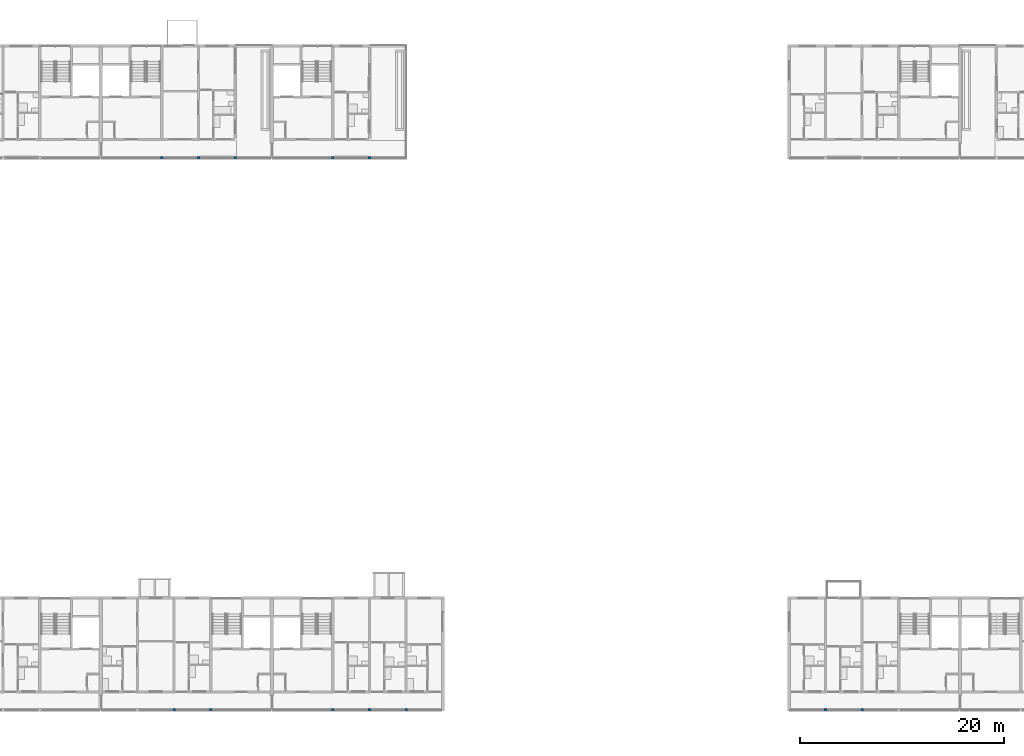
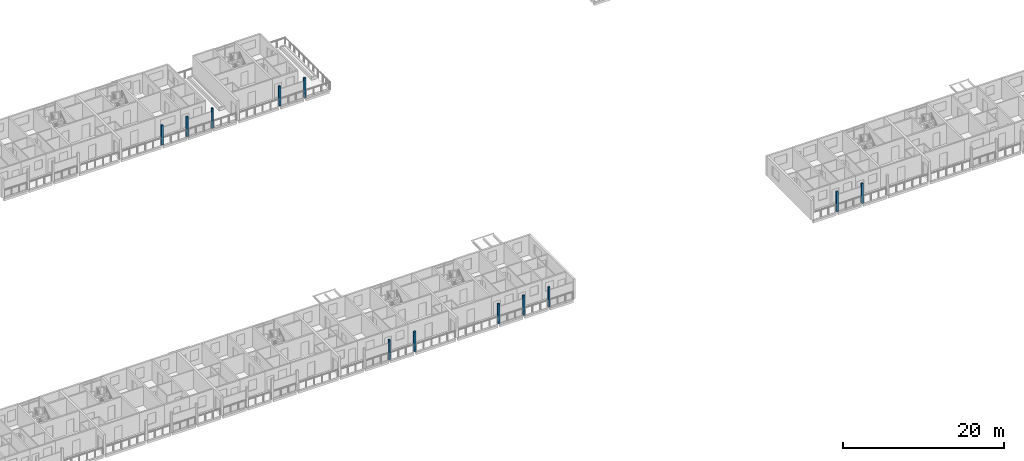
# One storey, part 2 of 94: 12 columns.
"""IFC4 building model written with IfcOpenShell, lengths in metres."""

from ifc_helpers import new_model, si_unit, direction, frame, origin, origin_2d, place, context, subcontext, project, spatial, rectangle, extrude, material, material_profile, profile_set, type_object, element, save


model = new_model("IFC4")

# Units and contexts
model_context = context("Model", 3, precision=1e-05, world=origin(), true_north=direction((0.0, 1.0)))
body_context = subcontext(model_context, "Body", "Model", "MODEL_VIEW")
ifc_project = project(units=[si_unit("LENGTHUNIT", "METRE"), si_unit("AREAUNIT", "SQUARE_METRE"), si_unit("VOLUMEUNIT", "CUBIC_METRE"), si_unit("PLANEANGLEUNIT", "RADIAN"), si_unit("MASSUNIT", "GRAM", prefix="KILO")], contexts=[model_context])

# Site, building, storey
site_placement = place(None, origin())
site = spatial("IfcSite", under=ifc_project, at=site_placement, CompositionType="ELEMENT")
building_placement = place(site_placement, origin())
building = spatial("IfcBuilding", under=site, at=building_placement, Name="Ridgestep Commons", CompositionType="ELEMENT")
storey_placement = place(building_placement, frame((0.0, 0.0, 21.0)))
storey = spatial("IfcBuildingStorey", under=building, at=storey_placement, Name="L07", CompositionType="ELEMENT", Elevation=21.0)

# Columns
ifc_material = material(Name="Precast concrete C40/50", Category="concrete")
ifc_material_profile = material_profile(ifc_material, rectangle(XDim=0.25, YDim=0.25, at=origin_2d()), Name="PC 250x250")
ifc_profile_set = profile_set([ifc_material_profile], Name="Precast concrete C40/50")
column_type = type_object("IfcColumnType", Name="Loggia column 250 x 250", PredefinedType="COLUMN", material=ifc_profile_set)
for number, where, z_axis, x_axis, name in (
    (1, (86.39990234375, 11.875, 0.0), (0.0, 0.0, 1.0), (1.0, 0.0, 0.0), "Loggia column A L07"),
    (2, (90.0, 11.875, 0.0), (0.0, 0.0, 1.0), (1.0, 0.0, 0.0), "Loggia column A L07"),
    (3, (102.0, 11.875, 0.0), (0.0, 0.0, 1.0), (1.0, 0.0, 0.0), "Loggia column A L07"),
    (4, (105.60009765625, 11.875, 0.0), (0.0, 0.0, 1.0), (1.0, 0.0, 0.0), "Loggia column A L07"),
    (5, (109.199951171875, 11.875, 0.0), (0.0, 0.0, 1.0), (1.0, 0.0, 0.0), "Loggia column A L07"),
    (6, (85.199951171875, 66.125, 0.0), (0.0, 0.0, 1.0), (1.0, 0.0, 0.0), "Loggia column B L07"),
    (7, (88.800048828125, 66.125, 0.0), (0.0, 0.0, 1.0), (1.0, 0.0, 0.0), "Loggia column B L07"),
    (8, (92.39990234375, 66.125, 0.0), (0.0, 0.0, 1.0), (1.0, 0.0, 0.0), "Loggia column B L07"),
    (9, (102.0, 66.125, 0.0), (0.0, 0.0, 1.0), (1.0, 0.0, 0.0), "Loggia column B L07"),
    (10, (105.60009765625, 66.125, 0.0), (0.0, 0.0, 1.0), (1.0, 0.0, 0.0), "Loggia column B L07"),
    (11, (150.39990234375, 11.875, 0.0), (0.0, 0.0, 1.0), (1.0, 0.0, 0.0), "Loggia column D L07"),
    (12, (154.0, 11.875, 0.0), (0.0, 0.0, 1.0), (1.0, 0.0, 0.0), "Loggia column D L07"),
):
    element("IfcColumn", number, at=place(storey_placement, frame(where, z_axis=z_axis, x_axis=x_axis)), inside=storey, type_object=column_type, Name=name, PredefinedType="COLUMN", context=body_context, shape_type="SweptSolid", body=[
        extrude(rectangle(XDim=0.25, YDim=0.25, at=origin_2d()), origin(), (0.0, 0.0, 1.0), 3.0),
    ])

save(model, "model.ifc")
